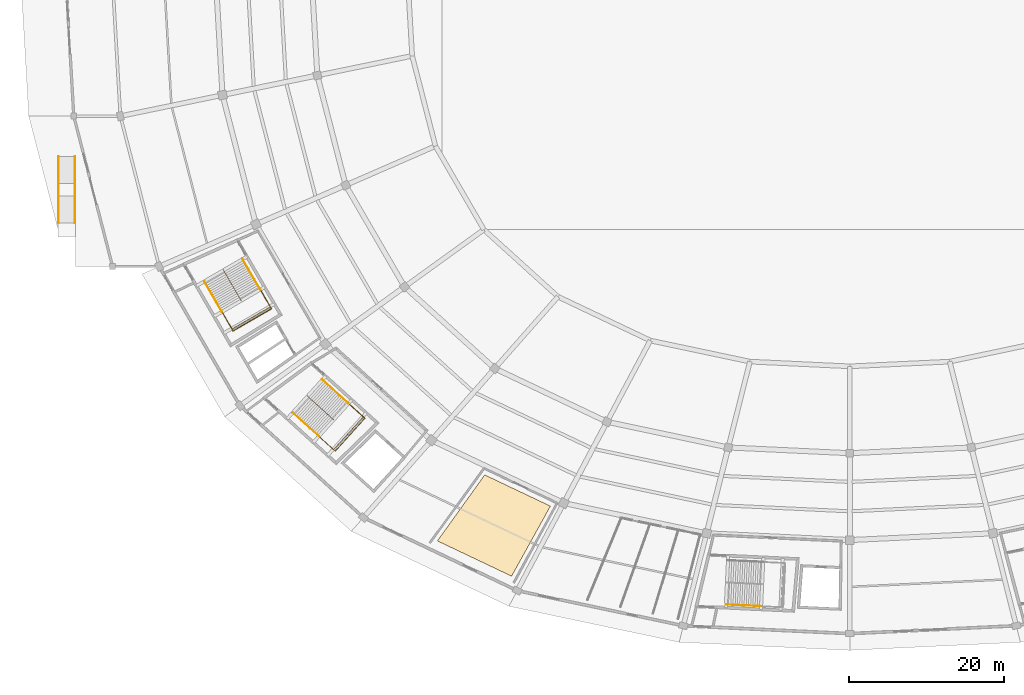
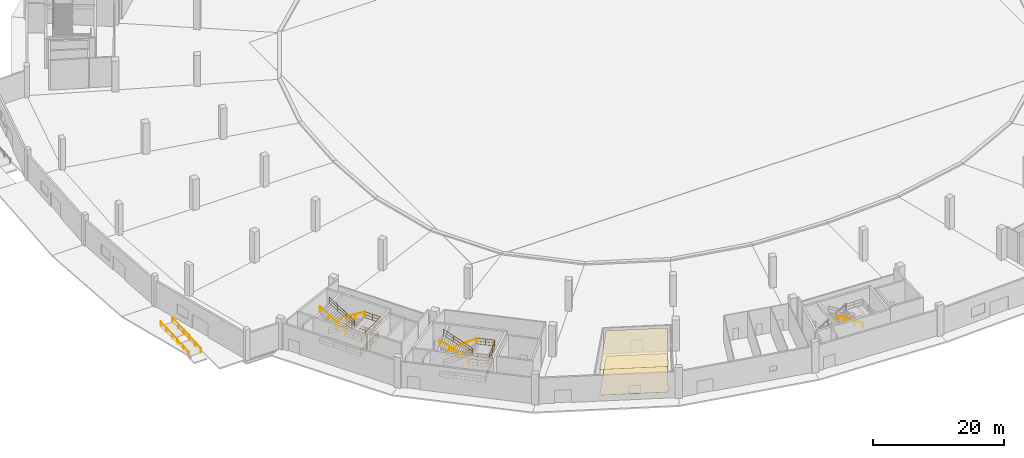
# One storey, part 43 of 48: 13 railings, 2 coverings.
"""IFC4 building model written with IfcOpenShell, lengths in metres."""

from ifc_helpers import new_model, si_unit, direction, frame, origin, origin_2d, place, context, subcontext, project, spatial, polyline, rectangle, outline, extrude, material, layer, layer_set, type_object, element, save


model = new_model("IFC4")

# Units and contexts
model_context = context("Model", 3, precision=1e-05, world=origin(), true_north=direction((0.0, 1.0)))
body_context = subcontext(model_context, "Body", "Model", "MODEL_VIEW")
ifc_project = project(units=[si_unit("LENGTHUNIT", "METRE"), si_unit("AREAUNIT", "SQUARE_METRE"), si_unit("VOLUMEUNIT", "CUBIC_METRE"), si_unit("PLANEANGLEUNIT", "RADIAN"), si_unit("MASSUNIT", "GRAM", prefix="KILO")], contexts=[model_context])

# Site, building, storey
site_placement = place(None, origin())
site = spatial("IfcSite", under=ifc_project, at=site_placement, CompositionType="ELEMENT")
building_placement = place(site_placement, origin())
building = spatial("IfcBuilding", under=site, at=building_placement, Name="Kazemori Nagisa Stadium", CompositionType="ELEMENT")
storey_placement = place(building_placement, origin())
storey = spatial("IfcBuildingStorey", under=building, at=storey_placement, Name="L00", CompositionType="ELEMENT", Elevation=0.0)

# Coverings
ifc_material_1 = material(Name="Mineral-fibre acoustic board", Category="gypsum")
ifc_layer_1 = layer(ifc_material_1, 0.02001953125, Name="Mineral-fibre acoustic board", Category="gypsum")
ifc_layer_set_1 = layer_set([ifc_layer_1], Name="Mineral-fibre acoustic board")
covering_type_1 = type_object("IfcCoveringType", Name="Cov_CEIL", PredefinedType="CEILING", material=ifc_layer_set_1)
covering_1_placement = place(storey_placement, frame((0.0, 0.0, 4.77001953125)))
element("IfcCovering", 1, at=covering_1_placement, inside=storey, type_object=covering_type_1, Name="Acoustic ceiling L00-B19", PredefinedType="CEILING", context=body_context, shape_type="SweptSolid", body=[
    extrude(outline(polyline([(76.0087890625, 36.427978515625), (84.466064453125, 32.4091796875), (79.47265625, 23.39111328125), (69.91943359375, 27.9306640625), (76.0087890625, 36.427978515625)])), origin(), (0.0, 0.0, 1.0), 0.02001953125),
])
ifc_material_2 = material(Name="Porcelain stoneware tile", Category="masonry")
ifc_layer_2 = layer(ifc_material_2, 0.02490234375, Name="Porcelain stoneware tile", Category="masonry")
ifc_layer_set_2 = layer_set([ifc_layer_2], Name="Porcelain stoneware tile")
covering_type_2 = type_object("IfcCoveringType", Name="Cov_FLOOR", PredefinedType="FLOORING", material=ifc_layer_set_2)
covering_2_placement = place(storey_placement, origin())
element("IfcCovering", 2, at=covering_2_placement, inside=storey, type_object=covering_type_2, Name="Porcelain floor finish L00-B19", PredefinedType="FLOORING", context=body_context, shape_type="SweptSolid", body=[
    extrude(outline(polyline([(76.0087890625, 36.427978515625), (84.466064453125, 32.4091796875), (79.47265625, 23.39111328125), (69.91943359375, 27.9306640625), (76.0087890625, 36.427978515625)])), origin(), (0.0, 0.0, 1.0), 0.02490234375),
])

# Railings
ifc_material_3 = material(Name="Galvanised powder-coated steel", Category="steel")
railing_type_1 = type_object("IfcRailingType", Name="Rail_GUARD", PredefinedType="GUARDRAIL", material=ifc_material_3)
railing_1_placement = place(storey_placement, frame((44.858642578125, 64.196044921875, 0.0)))
element("IfcRailing", 3, at=railing_1_placement, inside=storey, type_object=railing_type_1, Name="Stair well perimeter guard ST09-L00", PredefinedType="GUARDRAIL", context=body_context, shape_type="SweptSolid", body=[
    extrude(rectangle(XDim=0.050048828125, YDim=0.050048828125, at=origin_2d()), frame((0.0, 0.0, 1.09521484375), z_axis=(0.501595007813, -0.865102565097, 0.0), x_axis=(0.865102565097, 0.501595007813, 0.0)), (0.0, 0.0, 1.0), 7.094970703125),
    extrude(rectangle(XDim=0.03759765625, YDim=0.03759765625, at=origin_2d()), frame((0.0, 0.0, 0.58251953125), z_axis=(0.501595007813, -0.865102565097, 0.0), x_axis=(0.865102565097, 0.501595007813, 0.0)), (0.0, 0.0, 1.0), 7.094970703125),
    extrude(rectangle(XDim=0.03759765625, YDim=0.03759765625, at=origin_2d()), frame((0.0, 0.0, 0.02490234375), z_axis=(0.501595007813, -0.865102565097, 0.0), x_axis=(0.865102565097, 0.501595007813, 0.0)), (0.0, 0.0, 1.0), 7.094970703125),
    extrude(rectangle(XDim=0.050048828125, YDim=0.050048828125, at=origin_2d()), frame((3.558837890625, -6.137939453125, 1.09521484375), z_axis=(-0.865091784601, -0.501613600508, 0.0), x_axis=(0.501613600508, -0.865091784601, 0.0)), (0.0, 0.0, 1.0), 5.699951171875),
    extrude(rectangle(XDim=0.03759765625, YDim=0.03759765625, at=origin_2d()), frame((3.558837890625, -6.137939453125, 0.58251953125), z_axis=(-0.865091784601, -0.501613600508, 0.0), x_axis=(0.501613600508, -0.865091784601, 0.0)), (0.0, 0.0, 1.0), 5.699951171875),
    extrude(rectangle(XDim=0.03759765625, YDim=0.03759765625, at=origin_2d()), frame((3.558837890625, -6.137939453125, 0.02490234375), z_axis=(-0.865091784601, -0.501613600508, 0.0), x_axis=(0.501613600508, -0.865091784601, 0.0)), (0.0, 0.0, 1.0), 5.699951171875),
    extrude(rectangle(XDim=0.050048828125, YDim=0.050048828125, at=origin_2d()), frame((-1.3720703125, -8.9970703125, 1.09521484375), z_axis=(-0.501635691901, 0.865078974783, 0.0), x_axis=(-0.865078974783, -0.501635691901, 0.0)), (0.0, 0.0, 1.0), 7.094970703125),
    extrude(rectangle(XDim=0.03759765625, YDim=0.03759765625, at=origin_2d()), frame((-1.3720703125, -8.9970703125, 0.58251953125), z_axis=(-0.501635691901, 0.865078974783, 0.0), x_axis=(-0.865078974783, -0.501635691901, 0.0)), (0.0, 0.0, 1.0), 7.094970703125),
    extrude(rectangle(XDim=0.03759765625, YDim=0.03759765625, at=origin_2d()), frame((-1.3720703125, -8.9970703125, 0.02490234375), z_axis=(-0.501635691901, 0.865078974783, 0.0), x_axis=(-0.865078974783, -0.501635691901, 0.0)), (0.0, 0.0, 1.0), 7.094970703125),
    extrude(rectangle(XDim=0.044921875, YDim=0.044921875, at=origin_2d()), origin(), (0.0, 0.0, 1.0), 1.070068359375),
    extrude(rectangle(XDim=0.044921875, YDim=0.044921875, at=origin_2d()), frame((1.186279296875, -2.0458984375, 0.0)), (0.0, 0.0, 1.0), 1.070068359375),
    extrude(rectangle(XDim=0.044921875, YDim=0.044921875, at=origin_2d()), frame((2.37255859375, -4.092041015625, 0.0)), (0.0, 0.0, 1.0), 1.070068359375),
    extrude(rectangle(XDim=0.044921875, YDim=0.044921875, at=origin_2d()), frame((3.558837890625, -6.137939453125, 0.0)), (0.0, 0.0, 1.0), 1.070068359375),
    extrude(rectangle(XDim=0.044921875, YDim=0.044921875, at=origin_2d()), frame((1.915283203125, -7.091064453125, 0.0)), (0.0, 0.0, 1.0), 1.070068359375),
    extrude(rectangle(XDim=0.044921875, YDim=0.044921875, at=origin_2d()), frame((0.271484375, -8.0439453125, 0.0)), (0.0, 0.0, 1.0), 1.070068359375),
    extrude(rectangle(XDim=0.044921875, YDim=0.044921875, at=origin_2d()), frame((-1.3720703125, -8.9970703125, 0.0)), (0.0, 0.0, 1.0), 1.070068359375),
    extrude(rectangle(XDim=0.044921875, YDim=0.044921875, at=origin_2d()), frame((-2.558349609375, -6.951171875, 0.0)), (0.0, 0.0, 1.0), 1.070068359375),
    extrude(rectangle(XDim=0.044921875, YDim=0.044921875, at=origin_2d()), frame((-3.744873046875, -4.9052734375, 0.0)), (0.0, 0.0, 1.0), 1.070068359375),
    extrude(rectangle(XDim=0.044921875, YDim=0.044921875, at=origin_2d()), frame((-4.93115234375, -2.859375, 0.0)), (0.0, 0.0, 1.0), 1.070068359375),
])
railing_2_placement = place(storey_placement, frame((42.35302734375, 62.835693359375, 0.0)))
element("IfcRailing", 4, at=railing_2_placement, inside=storey, type_object=railing_type_1, Name="Stair central guard ST09-L00", PredefinedType="GUARDRAIL", context=body_context, shape_type="SweptSolid", body=[
    extrude(rectangle(XDim=0.050048828125, YDim=0.050048828125, at=origin_2d()), frame((0.0, 0.0, 1.09521484375), z_axis=(0.424969540987, -0.733006274055, 0.531133402668), x_axis=(0.865120352844, 0.501564327974, 0.0)), (0.0, 0.0, 1.0), 5.44091796875),
    extrude(rectangle(XDim=0.03759765625, YDim=0.03759765625, at=origin_2d()), frame((0.0, 0.0, 0.58251953125), z_axis=(0.424969540987, -0.733006274055, 0.531133402668), x_axis=(0.865120352844, 0.501564327974, 0.0)), (0.0, 0.0, 1.0), 5.44091796875),
    extrude(rectangle(XDim=0.03759765625, YDim=0.03759765625, at=origin_2d()), frame((0.0, 0.0, 0.02490234375), z_axis=(0.424969540987, -0.733006274055, 0.531133402668), x_axis=(0.865120352844, 0.501564327974, 0.0)), (0.0, 0.0, 1.0), 5.44091796875),
    extrude(rectangle(XDim=0.050048828125, YDim=0.050048828125, at=origin_2d()), frame((2.312255859375, -3.98828125, 3.98486328125), z_axis=(-0.422859752865, 0.729316079616, 0.537854706609), x_axis=(-0.865105092449, -0.501590648855, 0.0)), (0.0, 0.0, 1.0), 5.37353515625),
    extrude(rectangle(XDim=0.03759765625, YDim=0.03759765625, at=origin_2d()), frame((2.312255859375, -3.98828125, 3.472412109375), z_axis=(-0.422859752865, 0.729316079616, 0.537854706609), x_axis=(-0.865105092449, -0.501590648855, 0.0)), (0.0, 0.0, 1.0), 5.37353515625),
    extrude(rectangle(XDim=0.03759765625, YDim=0.03759765625, at=origin_2d()), frame((2.312255859375, -3.98828125, 2.9150390625), z_axis=(-0.422859752865, 0.729316079616, 0.537854706609), x_axis=(-0.865105092449, -0.501590648855, 0.0)), (0.0, 0.0, 1.0), 5.37353515625),
    extrude(rectangle(XDim=0.044921875, YDim=0.044921875, at=origin_2d()), origin(), (0.0, 0.0, 1.0), 1.070068359375),
    extrude(rectangle(XDim=0.044921875, YDim=0.044921875, at=origin_2d()), frame((0.770751953125, -1.329345703125, 0.96337890625)), (0.0, 0.0, 1.0), 1.070068359375),
    extrude(rectangle(XDim=0.044921875, YDim=0.044921875, at=origin_2d()), frame((1.54150390625, -2.658935546875, 1.926513671875)), (0.0, 0.0, 1.0), 1.070068359375),
    extrude(rectangle(XDim=0.044921875, YDim=0.044921875, at=origin_2d()), frame((2.312255859375, -3.98828125, 2.889892578125)), (0.0, 0.0, 1.0), 1.070068359375),
    extrude(rectangle(XDim=0.044921875, YDim=0.044921875, at=origin_2d()), frame((1.554931640625, -2.681884765625, 3.853271484375)), (0.0, 0.0, 1.0), 1.070068359375),
    extrude(rectangle(XDim=0.044921875, YDim=0.044921875, at=origin_2d()), frame((0.79736328125, -1.375732421875, 4.816650390625)), (0.0, 0.0, 1.0), 1.070068359375),
    extrude(rectangle(XDim=0.044921875, YDim=0.044921875, at=origin_2d()), frame((0.0400390625, -0.0693359375, 5.780029296875)), (0.0, 0.0, 1.0), 1.070068359375),
])
railing_3_placement = place(storey_placement, frame((47.130859375, 60.277099609375, 2.889892578125)))
element("IfcRailing", 5, at=railing_3_placement, inside=storey, type_object=railing_type_1, Name="Stair landing guard ST09-L00", PredefinedType="GUARDRAIL", context=body_context, shape_type="SweptSolid", body=[
    extrude(rectangle(XDim=0.050048828125, YDim=0.050048828125, at=origin_2d()), frame((0.0, 0.0, 1.09521484375), z_axis=(0.501627068055, -0.865083975458, 0.0), x_axis=(0.865083975458, 0.501627068055, 0.0)), (0.0, 0.0, 1.0), 2.85009765625),
    extrude(rectangle(XDim=0.03759765625, YDim=0.03759765625, at=origin_2d()), frame((0.0, 0.0, 0.58251953125), z_axis=(0.501627068055, -0.865083975458, 0.0), x_axis=(0.865083975458, 0.501627068055, 0.0)), (0.0, 0.0, 1.0), 2.85009765625),
    extrude(rectangle(XDim=0.03759765625, YDim=0.03759765625, at=origin_2d()), frame((0.0, 0.0, 0.02490234375), z_axis=(0.501627068055, -0.865083975458, 0.0), x_axis=(0.865083975458, 0.501627068055, 0.0)), (0.0, 0.0, 1.0), 2.85009765625),
    extrude(rectangle(XDim=0.050048828125, YDim=0.050048828125, at=origin_2d()), frame((1.4296875, -2.465576171875, 1.09521484375), z_axis=(-0.865102561401, -0.501595014188, 0.0), x_axis=(0.501595014188, -0.865102561401, 0.0)), (0.0, 0.0, 1.0), 5.7001953125),
    extrude(rectangle(XDim=0.03759765625, YDim=0.03759765625, at=origin_2d()), frame((1.4296875, -2.465576171875, 0.58251953125), z_axis=(-0.865102561401, -0.501595014188, 0.0), x_axis=(0.501595014188, -0.865102561401, 0.0)), (0.0, 0.0, 1.0), 5.7001953125),
    extrude(rectangle(XDim=0.03759765625, YDim=0.03759765625, at=origin_2d()), frame((1.4296875, -2.465576171875, 0.02490234375), z_axis=(-0.865102561401, -0.501595014188, 0.0), x_axis=(0.501595014188, -0.865102561401, 0.0)), (0.0, 0.0, 1.0), 5.7001953125),
    extrude(rectangle(XDim=0.050048828125, YDim=0.050048828125, at=origin_2d()), frame((-3.50146484375, -5.32470703125, 1.09521484375), z_axis=(-0.501562958255, 0.865121146954, 0.0), x_axis=(-0.865121146954, -0.501562958255, 0.0)), (0.0, 0.0, 1.0), 2.85009765625),
    extrude(rectangle(XDim=0.03759765625, YDim=0.03759765625, at=origin_2d()), frame((-3.50146484375, -5.32470703125, 0.58251953125), z_axis=(-0.501562958255, 0.865121146954, 0.0), x_axis=(-0.865121146954, -0.501562958255, 0.0)), (0.0, 0.0, 1.0), 2.85009765625),
    extrude(rectangle(XDim=0.03759765625, YDim=0.03759765625, at=origin_2d()), frame((-3.50146484375, -5.32470703125, 0.02490234375), z_axis=(-0.501562958255, 0.865121146954, 0.0), x_axis=(-0.865121146954, -0.501562958255, 0.0)), (0.0, 0.0, 1.0), 2.85009765625),
    extrude(rectangle(XDim=0.044921875, YDim=0.044921875, at=origin_2d()), origin(), (0.0, 0.0, 1.0), 1.070068359375),
    extrude(rectangle(XDim=0.044921875, YDim=0.044921875, at=origin_2d()), frame((0.71484375, -1.23291015625, 0.0)), (0.0, 0.0, 1.0), 1.070068359375),
    extrude(rectangle(XDim=0.044921875, YDim=0.044921875, at=origin_2d()), frame((1.4296875, -2.465576171875, 0.0)), (0.0, 0.0, 1.0), 1.070068359375),
    extrude(rectangle(XDim=0.044921875, YDim=0.044921875, at=origin_2d()), frame((-0.214111328125, -3.418701171875, 0.0)), (0.0, 0.0, 1.0), 1.070068359375),
    extrude(rectangle(XDim=0.044921875, YDim=0.044921875, at=origin_2d()), frame((-1.857666015625, -4.37158203125, 0.0)), (0.0, 0.0, 1.0), 1.070068359375),
    extrude(rectangle(XDim=0.044921875, YDim=0.044921875, at=origin_2d()), frame((-3.50146484375, -5.32470703125, 0.0)), (0.0, 0.0, 1.0), 1.070068359375),
    extrude(rectangle(XDim=0.044921875, YDim=0.044921875, at=origin_2d()), frame((-4.21630859375, -4.091796875, 0.0)), (0.0, 0.0, 1.0), 1.070068359375),
    extrude(rectangle(XDim=0.044921875, YDim=0.044921875, at=origin_2d()), frame((-4.930908203125, -2.859130859375, 0.0)), (0.0, 0.0, 1.0), 1.070068359375),
])
railing_4_placement = place(storey_placement, frame((55.12353515625, 48.665771484375, 0.0)))
element("IfcRailing", 6, at=railing_4_placement, inside=storey, type_object=railing_type_1, Name="Stair well perimeter guard ST03-L00", PredefinedType="GUARDRAIL", context=body_context, shape_type="SweptSolid", body=[
    extrude(rectangle(XDim=0.050048828125, YDim=0.050048828125, at=origin_2d()), frame((0.0, 0.0, 1.09521484375), z_axis=(0.741349073354, -0.671119625281, 0.0), x_axis=(0.671119625281, 0.741349073354, 0.0)), (0.0, 0.0, 1.0), 7.09521484375),
    extrude(rectangle(XDim=0.03759765625, YDim=0.03759765625, at=origin_2d()), frame((0.0, 0.0, 0.58251953125), z_axis=(0.741349073354, -0.671119625281, 0.0), x_axis=(0.671119625281, 0.741349073354, 0.0)), (0.0, 0.0, 1.0), 7.09521484375),
    extrude(rectangle(XDim=0.03759765625, YDim=0.03759765625, at=origin_2d()), frame((0.0, 0.0, 0.02490234375), z_axis=(0.741349073354, -0.671119625281, 0.0), x_axis=(0.671119625281, 0.741349073354, 0.0)), (0.0, 0.0, 1.0), 7.09521484375),
    extrude(rectangle(XDim=0.050048828125, YDim=0.050048828125, at=origin_2d()), frame((5.260009765625, -4.76171875, 1.09521484375), z_axis=(-0.67113423669, -0.74133584585, 0.0), x_axis=(0.74133584585, -0.67113423669, 0.0)), (0.0, 0.0, 1.0), 5.699951171875),
    extrude(rectangle(XDim=0.03759765625, YDim=0.03759765625, at=origin_2d()), frame((5.260009765625, -4.76171875, 0.58251953125), z_axis=(-0.67113423669, -0.74133584585, 0.0), x_axis=(0.74133584585, -0.67113423669, 0.0)), (0.0, 0.0, 1.0), 5.699951171875),
    extrude(rectangle(XDim=0.03759765625, YDim=0.03759765625, at=origin_2d()), frame((5.260009765625, -4.76171875, 0.02490234375), z_axis=(-0.67113423669, -0.74133584585, 0.0), x_axis=(0.74133584585, -0.67113423669, 0.0)), (0.0, 0.0, 1.0), 5.699951171875),
    extrude(rectangle(XDim=0.050048828125, YDim=0.050048828125, at=origin_2d()), frame((1.4345703125, -8.9873046875, 1.09521484375), z_axis=(-0.741350695223, 0.671117833686, 0.0), x_axis=(-0.671117833686, -0.741350695223, 0.0)), (0.0, 0.0, 1.0), 7.0947265625),
    extrude(rectangle(XDim=0.03759765625, YDim=0.03759765625, at=origin_2d()), frame((1.4345703125, -8.9873046875, 0.58251953125), z_axis=(-0.741350695223, 0.671117833686, 0.0), x_axis=(-0.671117833686, -0.741350695223, 0.0)), (0.0, 0.0, 1.0), 7.0947265625),
    extrude(rectangle(XDim=0.03759765625, YDim=0.03759765625, at=origin_2d()), frame((1.4345703125, -8.9873046875, 0.02490234375), z_axis=(-0.741350695223, 0.671117833686, 0.0), x_axis=(-0.671117833686, -0.741350695223, 0.0)), (0.0, 0.0, 1.0), 7.0947265625),
    extrude(rectangle(XDim=0.044921875, YDim=0.044921875, at=origin_2d()), origin(), (0.0, 0.0, 1.0), 1.070068359375),
    extrude(rectangle(XDim=0.044921875, YDim=0.044921875, at=origin_2d()), frame((1.75341796875, -1.587158203125, 0.0)), (0.0, 0.0, 1.0), 1.070068359375),
    extrude(rectangle(XDim=0.044921875, YDim=0.044921875, at=origin_2d()), frame((3.506591796875, -3.174560546875, 0.0)), (0.0, 0.0, 1.0), 1.070068359375),
    extrude(rectangle(XDim=0.044921875, YDim=0.044921875, at=origin_2d()), frame((5.260009765625, -4.76171875, 0.0)), (0.0, 0.0, 1.0), 1.070068359375),
    extrude(rectangle(XDim=0.044921875, YDim=0.044921875, at=origin_2d()), frame((3.98486328125, -6.170166015625, 0.0)), (0.0, 0.0, 1.0), 1.070068359375),
    extrude(rectangle(XDim=0.044921875, YDim=0.044921875, at=origin_2d()), frame((2.709716796875, -7.578857421875, 0.0)), (0.0, 0.0, 1.0), 1.070068359375),
    extrude(rectangle(XDim=0.044921875, YDim=0.044921875, at=origin_2d()), frame((1.4345703125, -8.9873046875, 0.0)), (0.0, 0.0, 1.0), 1.070068359375),
    extrude(rectangle(XDim=0.044921875, YDim=0.044921875, at=origin_2d()), frame((-0.318603515625, -7.400146484375, 0.0)), (0.0, 0.0, 1.0), 1.070068359375),
    extrude(rectangle(XDim=0.044921875, YDim=0.044921875, at=origin_2d()), frame((-2.072021484375, -5.81298828125, 0.0)), (0.0, 0.0, 1.0), 1.070068359375),
    extrude(rectangle(XDim=0.044921875, YDim=0.044921875, at=origin_2d()), frame((-3.8251953125, -4.225830078125, 0.0)), (0.0, 0.0, 1.0), 1.070068359375),
])
railing_5_placement = place(storey_placement, frame((53.151611328125, 46.606689453125, 0.0)))
element("IfcRailing", 7, at=railing_5_placement, inside=storey, type_object=railing_type_1, Name="Stair central guard ST03-L00", PredefinedType="GUARDRAIL", context=body_context, shape_type="SweptSolid", body=[
    extrude(rectangle(XDim=0.050048828125, YDim=0.050048828125, at=origin_2d()), frame((0.0, 0.0, 1.09521484375), z_axis=(0.628135950025, -0.568638252351, 0.53112688338), x_axis=(0.671124068371, 0.741345051142, 0.0)), (0.0, 0.0, 1.0), 5.441162109375),
    extrude(rectangle(XDim=0.03759765625, YDim=0.03759765625, at=origin_2d()), frame((0.0, 0.0, 0.58251953125), z_axis=(0.628135950025, -0.568638252351, 0.53112688338), x_axis=(0.671124068371, 0.741345051142, 0.0)), (0.0, 0.0, 1.0), 5.441162109375),
    extrude(rectangle(XDim=0.03759765625, YDim=0.03759765625, at=origin_2d()), frame((0.0, 0.0, 0.02490234375), z_axis=(0.628135950025, -0.568638252351, 0.53112688338), x_axis=(0.671124068371, 0.741345051142, 0.0)), (0.0, 0.0, 1.0), 5.441162109375),
    extrude(rectangle(XDim=0.050048828125, YDim=0.050048828125, at=origin_2d()), frame((3.417724609375, -3.093994140625, 3.98486328125), z_axis=(-0.624986777948, 0.565786591, 0.5378448297), x_axis=(-0.671123558466, -0.741345512748, 0.0)), (0.0, 0.0, 1.0), 5.37353515625),
    extrude(rectangle(XDim=0.03759765625, YDim=0.03759765625, at=origin_2d()), frame((3.417724609375, -3.093994140625, 3.472412109375), z_axis=(-0.624986777948, 0.565786591, 0.5378448297), x_axis=(-0.671123558466, -0.741345512748, 0.0)), (0.0, 0.0, 1.0), 5.37353515625),
    extrude(rectangle(XDim=0.03759765625, YDim=0.03759765625, at=origin_2d()), frame((3.417724609375, -3.093994140625, 2.9150390625), z_axis=(-0.624986777948, 0.565786591, 0.5378448297), x_axis=(-0.671123558466, -0.741345512748, 0.0)), (0.0, 0.0, 1.0), 5.37353515625),
    extrude(rectangle(XDim=0.044921875, YDim=0.044921875, at=origin_2d()), origin(), (0.0, 0.0, 1.0), 1.070068359375),
    extrude(rectangle(XDim=0.044921875, YDim=0.044921875, at=origin_2d()), frame((1.13916015625, -1.03125, 0.96337890625)), (0.0, 0.0, 1.0), 1.070068359375),
    extrude(rectangle(XDim=0.044921875, YDim=0.044921875, at=origin_2d()), frame((2.278564453125, -2.062744140625, 1.926513671875)), (0.0, 0.0, 1.0), 1.070068359375),
    extrude(rectangle(XDim=0.044921875, YDim=0.044921875, at=origin_2d()), frame((3.417724609375, -3.093994140625, 2.889892578125)), (0.0, 0.0, 1.0), 1.070068359375),
    extrude(rectangle(XDim=0.044921875, YDim=0.044921875, at=origin_2d()), frame((2.29833984375, -2.08056640625, 3.853271484375)), (0.0, 0.0, 1.0), 1.070068359375),
    extrude(rectangle(XDim=0.044921875, YDim=0.044921875, at=origin_2d()), frame((1.1787109375, -1.067138671875, 4.816650390625)), (0.0, 0.0, 1.0), 1.070068359375),
    extrude(rectangle(XDim=0.044921875, YDim=0.044921875, at=origin_2d()), frame((0.059326171875, -0.0537109375, 5.780029296875)), (0.0, 0.0, 1.0), 1.070068359375),
])
railing_6_placement = place(storey_placement, frame((58.48193359375, 45.62548828125, 2.889892578125)))
element("IfcRailing", 8, at=railing_6_placement, inside=storey, type_object=railing_type_1, Name="Stair landing guard ST03-L00", PredefinedType="GUARDRAIL", context=body_context, shape_type="SweptSolid", body=[
    extrude(rectangle(XDim=0.050048828125, YDim=0.050048828125, at=origin_2d()), frame((0.0, 0.0, 1.09521484375), z_axis=(0.741357156534, -0.671110696127, 0.0), x_axis=(0.671110696127, 0.741357156534, 0.0)), (0.0, 0.0, 1.0), 2.849853515625),
    extrude(rectangle(XDim=0.03759765625, YDim=0.03759765625, at=origin_2d()), frame((0.0, 0.0, 0.58251953125), z_axis=(0.741357156534, -0.671110696127, 0.0), x_axis=(0.671110696127, 0.741357156534, 0.0)), (0.0, 0.0, 1.0), 2.849853515625),
    extrude(rectangle(XDim=0.03759765625, YDim=0.03759765625, at=origin_2d()), frame((0.0, 0.0, 0.02490234375), z_axis=(0.741357156534, -0.671110696127, 0.0), x_axis=(0.671110696127, 0.741357156534, 0.0)), (0.0, 0.0, 1.0), 2.849853515625),
    extrude(rectangle(XDim=0.050048828125, YDim=0.050048828125, at=origin_2d()), frame((2.11279296875, -1.91259765625, 1.09521484375), z_axis=(-0.67113423669, -0.74133584585, 0.0), x_axis=(0.74133584585, -0.67113423669, 0.0)), (0.0, 0.0, 1.0), 5.699951171875),
    extrude(rectangle(XDim=0.03759765625, YDim=0.03759765625, at=origin_2d()), frame((2.11279296875, -1.91259765625, 0.58251953125), z_axis=(-0.67113423669, -0.74133584585, 0.0), x_axis=(0.74133584585, -0.67113423669, 0.0)), (0.0, 0.0, 1.0), 5.699951171875),
    extrude(rectangle(XDim=0.03759765625, YDim=0.03759765625, at=origin_2d()), frame((2.11279296875, -1.91259765625, 0.02490234375), z_axis=(-0.67113423669, -0.74133584585, 0.0), x_axis=(0.74133584585, -0.67113423669, 0.0)), (0.0, 0.0, 1.0), 5.699951171875),
    extrude(rectangle(XDim=0.050048828125, YDim=0.050048828125, at=origin_2d()), frame((-1.712646484375, -6.13818359375, 1.09521484375), z_axis=(-0.741357156534, 0.671110696127, 0.0), x_axis=(-0.671110696127, -0.741357156534, 0.0)), (0.0, 0.0, 1.0), 2.849853515625),
    extrude(rectangle(XDim=0.03759765625, YDim=0.03759765625, at=origin_2d()), frame((-1.712646484375, -6.13818359375, 0.58251953125), z_axis=(-0.741357156534, 0.671110696127, 0.0), x_axis=(-0.671110696127, -0.741357156534, 0.0)), (0.0, 0.0, 1.0), 2.849853515625),
    extrude(rectangle(XDim=0.03759765625, YDim=0.03759765625, at=origin_2d()), frame((-1.712646484375, -6.13818359375, 0.02490234375), z_axis=(-0.741357156534, 0.671110696127, 0.0), x_axis=(-0.671110696127, -0.741357156534, 0.0)), (0.0, 0.0, 1.0), 2.849853515625),
    extrude(rectangle(XDim=0.044921875, YDim=0.044921875, at=origin_2d()), origin(), (0.0, 0.0, 1.0), 1.070068359375),
    extrude(rectangle(XDim=0.044921875, YDim=0.044921875, at=origin_2d()), frame((1.056396484375, -0.956298828125, 0.0)), (0.0, 0.0, 1.0), 1.070068359375),
    extrude(rectangle(XDim=0.044921875, YDim=0.044921875, at=origin_2d()), frame((2.11279296875, -1.91259765625, 0.0)), (0.0, 0.0, 1.0), 1.070068359375),
    extrude(rectangle(XDim=0.044921875, YDim=0.044921875, at=origin_2d()), frame((0.837646484375, -3.321044921875, 0.0)), (0.0, 0.0, 1.0), 1.070068359375),
    extrude(rectangle(XDim=0.044921875, YDim=0.044921875, at=origin_2d()), frame((-0.4375, -4.729736328125, 0.0)), (0.0, 0.0, 1.0), 1.070068359375),
    extrude(rectangle(XDim=0.044921875, YDim=0.044921875, at=origin_2d()), frame((-1.712646484375, -6.13818359375, 0.0)), (0.0, 0.0, 1.0), 1.070068359375),
    extrude(rectangle(XDim=0.044921875, YDim=0.044921875, at=origin_2d()), frame((-2.76904296875, -5.181884765625, 0.0)), (0.0, 0.0, 1.0), 1.070068359375),
    extrude(rectangle(XDim=0.044921875, YDim=0.044921875, at=origin_2d()), frame((-3.825439453125, -4.2255859375, 0.0)), (0.0, 0.0, 1.0), 1.070068359375),
])
ifc_material_4 = material(Name="Stainless steel SUS304", Category="steel")
railing_type_2 = type_object("IfcRailingType", Name="Rail_HAND", PredefinedType="HANDRAIL", material=ifc_material_4)
railing_7_placement = place(storey_placement, frame((44.818359375, 64.26513671875, 0.169921875)))
element("IfcRailing", 9, at=railing_7_placement, inside=storey, type_object=railing_type_2, Name="Stair handrail ST09-L00-F1", PredefinedType="HANDRAIL", context=body_context, shape_type="SweptSolid", body=[
    extrude(rectangle(XDim=0.050048828125, YDim=0.050048828125, at=origin_2d()), frame((0.0, 0.0, 0.875), z_axis=(0.425010155777, -0.732954064044, 0.531172954402), x_axis=(0.865084048278, 0.501626942473, 0.0)), (0.0, 0.0, 1.0), 5.441162109375),
    extrude(rectangle(XDim=0.044921875, YDim=0.044921875, at=origin_2d()), origin(), (0.0, 0.0, 1.0), 0.849853515625),
    extrude(rectangle(XDim=0.044921875, YDim=0.044921875, at=origin_2d()), frame((0.770751953125, -1.329345703125, 0.96337890625)), (0.0, 0.0, 1.0), 0.849853515625),
    extrude(rectangle(XDim=0.044921875, YDim=0.044921875, at=origin_2d()), frame((1.541748046875, -2.65869140625, 1.9267578125)), (0.0, 0.0, 1.0), 0.849853515625),
    extrude(rectangle(XDim=0.044921875, YDim=0.044921875, at=origin_2d()), frame((2.3125, -3.988037109375, 2.89013671875)), (0.0, 0.0, 1.0), 0.849853515625),
])
railing_8_placement = place(storey_placement, frame((42.199951171875, 57.41796875, 3.06005859375)))
element("IfcRailing", 10, at=railing_8_placement, inside=storey, type_object=railing_type_2, Name="Stair handrail ST09-L00-F2", PredefinedType="HANDRAIL", context=body_context, shape_type="SweptSolid", body=[
    extrude(rectangle(XDim=0.050048828125, YDim=0.050048828125, at=origin_2d()), frame((0.0, 0.0, 0.875), z_axis=(-0.422921410116, 0.729298619873, 0.537829902401), x_axis=(-0.865068143926, -0.501654369426, 0.0)), (0.0, 0.0, 1.0), 5.373291015625),
    extrude(rectangle(XDim=0.044921875, YDim=0.044921875, at=origin_2d()), origin(), (0.0, 0.0, 1.0), 0.849853515625),
    extrude(rectangle(XDim=0.044921875, YDim=0.044921875, at=origin_2d()), frame((-0.757568359375, 1.30615234375, 0.96337890625)), (0.0, 0.0, 1.0), 0.849853515625),
    extrude(rectangle(XDim=0.044921875, YDim=0.044921875, at=origin_2d()), frame((-1.514892578125, 2.612548828125, 1.926513671875)), (0.0, 0.0, 1.0), 0.849853515625),
    extrude(rectangle(XDim=0.044921875, YDim=0.044921875, at=origin_2d()), frame((-2.2724609375, 3.918701171875, 2.889892578125)), (0.0, 0.0, 1.0), 0.849853515625),
])
railing_9_placement = place(storey_placement, frame((55.064208984375, 48.719482421875, 0.169921875)))
element("IfcRailing", 11, at=railing_9_placement, inside=storey, type_object=railing_type_2, Name="Stair handrail ST03-L00-F1", PredefinedType="HANDRAIL", context=body_context, shape_type="SweptSolid", body=[
    extrude(rectangle(XDim=0.050048828125, YDim=0.050048828125, at=origin_2d()), frame((0.0, 0.0, 0.875), z_axis=(0.628120980384, -0.56862470065, 0.531159094634), x_axis=(0.671124068371, 0.741345051142, 0.0)), (0.0, 0.0, 1.0), 5.441162109375),
    extrude(rectangle(XDim=0.044921875, YDim=0.044921875, at=origin_2d()), origin(), (0.0, 0.0, 1.0), 0.849853515625),
    extrude(rectangle(XDim=0.044921875, YDim=0.044921875, at=origin_2d()), frame((1.13916015625, -1.03125, 0.96337890625)), (0.0, 0.0, 1.0), 0.849853515625),
    extrude(rectangle(XDim=0.044921875, YDim=0.044921875, at=origin_2d()), frame((2.278564453125, -2.062744140625, 1.9267578125)), (0.0, 0.0, 1.0), 0.849853515625),
    extrude(rectangle(XDim=0.044921875, YDim=0.044921875, at=origin_2d()), frame((3.417724609375, -3.093994140625, 2.89013671875)), (0.0, 0.0, 1.0), 0.849853515625),
])
railing_10_placement = place(storey_placement, frame((54.656494140625, 41.39990234375, 3.06005859375)))
element("IfcRailing", 12, at=railing_10_placement, inside=storey, type_object=railing_type_2, Name="Stair handrail ST03-L00-F2", PredefinedType="HANDRAIL", context=body_context, shape_type="SweptSolid", body=[
    extrude(rectangle(XDim=0.050048828125, YDim=0.050048828125, at=origin_2d()), frame((0.0, 0.0, 0.875), z_axis=(-0.624990429444, 0.565785592689, 0.537841636738), x_axis=(-0.671120752671, -0.741348052762, 0.0)), (0.0, 0.0, 1.0), 5.373046875),
    extrude(rectangle(XDim=0.044921875, YDim=0.044921875, at=origin_2d()), origin(), (0.0, 0.0, 1.0), 0.849853515625),
    extrude(rectangle(XDim=0.044921875, YDim=0.044921875, at=origin_2d()), frame((-1.119384765625, 1.013427734375, 0.96337890625)), (0.0, 0.0, 1.0), 0.849853515625),
    extrude(rectangle(XDim=0.044921875, YDim=0.044921875, at=origin_2d()), frame((-2.23876953125, 2.026611328125, 1.926513671875)), (0.0, 0.0, 1.0), 0.849853515625),
    extrude(rectangle(XDim=0.044921875, YDim=0.044921875, at=origin_2d()), frame((-3.358154296875, 3.0400390625, 2.889892578125)), (0.0, 0.0, 1.0), 0.849853515625),
])
railing_11_placement = place(storey_placement, frame((111.58056640625, 19.52734375, 3.06005859375)))
element("IfcRailing", 13, at=railing_11_placement, inside=storey, type_object=railing_type_2, Name="Stair handrail ST12-L00-F2", PredefinedType="HANDRAIL", context=body_context, shape_type="SweptSolid", body=[
    extrude(rectangle(XDim=0.050048828125, YDim=0.050048828125, at=origin_2d()), frame((0.0, 0.0, 0.875), z_axis=(-0.842114374724, 0.039802103823, 0.53782819972), x_axis=(-0.047211782358, -0.998884902082, 0.0)), (0.0, 0.0, 1.0), 5.373291015625),
    extrude(rectangle(XDim=0.044921875, YDim=0.044921875, at=origin_2d()), origin(), (0.0, 0.0, 1.0), 0.849853515625),
    extrude(rectangle(XDim=0.044921875, YDim=0.044921875, at=origin_2d()), frame((-1.50830078125, 0.0712890625, 0.96337890625)), (0.0, 0.0, 1.0), 0.849853515625),
    extrude(rectangle(XDim=0.044921875, YDim=0.044921875, at=origin_2d()), frame((-3.0166015625, 0.142578125, 1.926513671875)), (0.0, 0.0, 1.0), 0.849853515625),
    extrude(rectangle(XDim=0.044921875, YDim=0.044921875, at=origin_2d()), frame((-4.52490234375, 0.2138671875, 2.889892578125)), (0.0, 0.0, 1.0), 0.849853515625),
])
for number, where, name in (
    (14, (21.167236328125, 68.826416015625, -0.5), "Boulevard ramp handrail RP2-W"),
    (15, (23.26708984375, 68.826416015625, -0.5), "Boulevard ramp handrail RP2-E"),
):
    element("IfcRailing", number, at=place(storey_placement, frame(where)), inside=storey, type_object=railing_type_2, Name=name, PredefinedType="HANDRAIL", context=body_context, shape_type="SweptSolid", body=[
        extrude(rectangle(XDim=0.050048828125, YDim=0.050048828125, at=origin_2d()), frame((0.0, 0.0, 0.875), z_axis=(0.0, 0.997458699831, 0.071247049988), x_axis=(-1.0, 0.0, 0.0)), (0.0, 0.0, 1.0), 3.509033203125),
        extrude(rectangle(XDim=0.050048828125, YDim=0.050048828125, at=origin_2d()), frame((0.0, 3.5, 1.125), z_axis=(0.0, 1.0, 0.0), x_axis=(-1.0, 0.0, 0.0)), (0.0, 0.0, 1.0), 1.599853515625),
        extrude(rectangle(XDim=0.050048828125, YDim=0.050048828125, at=origin_2d()), frame((0.0, 5.099853515625, 1.125), z_axis=(0.0, 0.997458699831, 0.071247049988), x_axis=(-1.0, 0.0, 0.0)), (0.0, 0.0, 1.0), 3.509033203125),
        extrude(rectangle(XDim=0.044921875, YDim=0.044921875, at=origin_2d()), origin(), (0.0, 0.0, 1.0), 0.849853515625),
        extrude(rectangle(XDim=0.044921875, YDim=0.044921875, at=origin_2d()), frame((0.0, 1.75, 0.125)), (0.0, 0.0, 1.0), 0.849853515625),
        extrude(rectangle(XDim=0.044921875, YDim=0.044921875, at=origin_2d()), frame((0.0, 3.5, 0.25)), (0.0, 0.0, 1.0), 0.849853515625),
        extrude(rectangle(XDim=0.044921875, YDim=0.044921875, at=origin_2d()), frame((0.0, 5.099853515625, 0.25)), (0.0, 0.0, 1.0), 0.849853515625),
        extrude(rectangle(XDim=0.044921875, YDim=0.044921875, at=origin_2d()), frame((0.0, 6.849853515625, 0.375)), (0.0, 0.0, 1.0), 0.849853515625),
        extrude(rectangle(XDim=0.044921875, YDim=0.044921875, at=origin_2d()), frame((0.0, 8.599853515625, 0.5)), (0.0, 0.0, 1.0), 0.849853515625),
    ])

save(model, "model.ifc")
